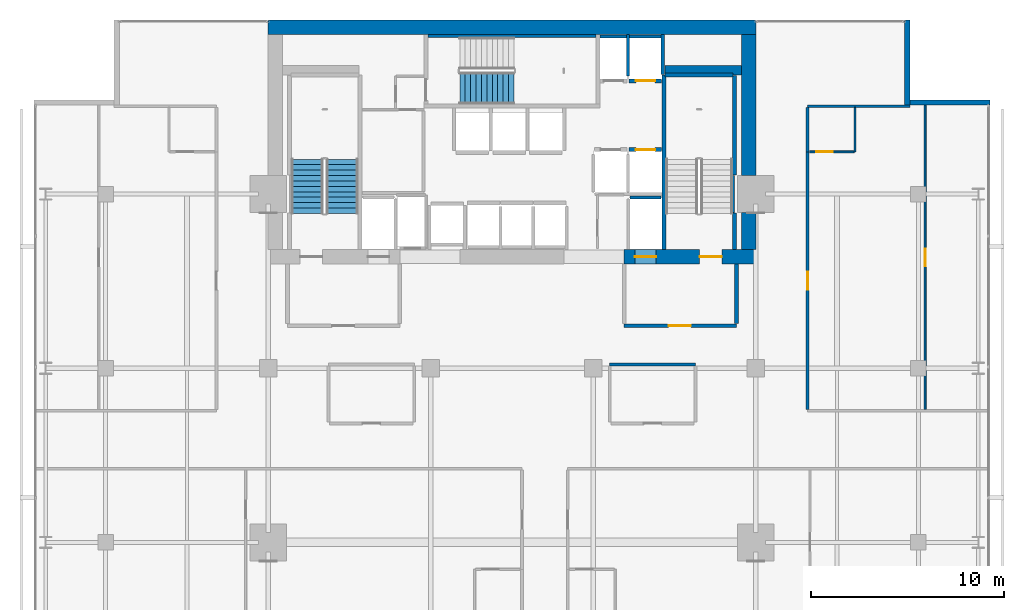
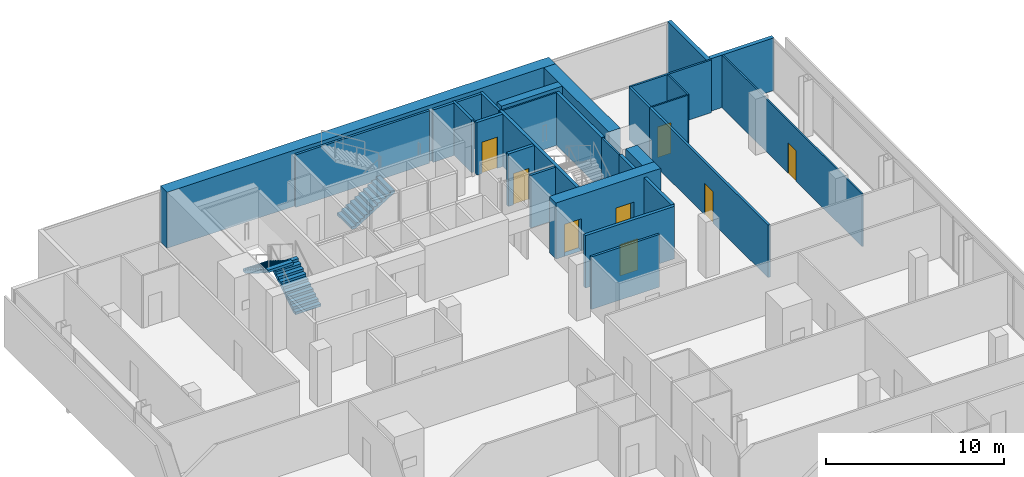
# One storey, part 30 of 33: 28 walls, 8 doors, 3 stair flights, 8 openings, 2 elements without a shape of their own.
"""IFC4 building model written with IfcOpenShell, lengths in metres."""

from ifc_helpers import new_model, si_unit, direction, frame, frame_2d, origin, place, context, subcontext, project, spatial, polyline, rectangle, outline, extrude, material, layer, layer_set, type_object, element, fill, aggregate, save


model = new_model("IFC4")

# Units and contexts
model_context = context("Model", 3, precision=1e-05, world=origin(), true_north=direction((0.0, 1.0)))
body_context = subcontext(model_context, "Body", "Model", "MODEL_VIEW")
ifc_project = project(units=[si_unit("LENGTHUNIT", "METRE"), si_unit("AREAUNIT", "SQUARE_METRE"), si_unit("VOLUMEUNIT", "CUBIC_METRE"), si_unit("PLANEANGLEUNIT", "RADIAN"), si_unit("MASSUNIT", "GRAM", prefix="KILO")], contexts=[model_context])

# Site, building, storey
site_placement = place(None, origin())
site = spatial("IfcSite", under=ifc_project, at=site_placement, CompositionType="ELEMENT")
building_placement = place(site_placement, origin())
building = spatial("IfcBuilding", under=site, at=building_placement, Name="Maruvema Waterfront Hotel and Observation Tower", CompositionType="ELEMENT")
storey_placement = place(building_placement, frame((0.0, 0.0, 200.550048828125)))
storey = spatial("IfcBuildingStorey", under=building, at=storey_placement, Name="L49", CompositionType="ELEMENT", Elevation=200.550048828125)

# Wall
ifc_material_1 = material(Name="Twin-stud acoustic gypsum drywall", Category="gypsum")
ifc_layer_1 = layer(ifc_material_1, 0.14990234375, Name="Acoustic Corridor and Suite Demising Wall 150 mm")
ifc_layer_set_1 = layer_set([ifc_layer_1], Name="Twin-stud acoustic gypsum drywall")
wall_type_1 = type_object("IfcWallType", Name="Acoustic Corridor and Suite Demising Wall 150 mm", PredefinedType="PARTITIONING", material=ifc_layer_set_1)
wall_1_placement = place(storey_placement, frame((42.85009765625, 36.199951171875, 0.0), z_axis=(0.0, 0.0, 1.0), x_axis=(1.0, 0.0, 0.0)))
element("IfcWall", 1, at=wall_1_placement, inside=storey, type_object=wall_type_1, Name="L49 L49-M2 Back Wall 021", PredefinedType="PARTITIONING", context=body_context, shape_type="SweptSolid", body=[
    extrude(rectangle(XDim=4.429931640625, YDim=0.14990234375, at=frame_2d((2.21484375, 0.0))), origin(), (0.0, 0.0, 1.0), 3.60986328125),
])

# Wall, opening, door
wall_2_placement = place(storey_placement, frame((53.080078125, 33.860107421875, 0.0), z_axis=(0.0, 0.0, 1.0), x_axis=(0.0, 1.0, 0.0)))
wall_2 = element("IfcWall", 2, at=wall_2_placement, inside=storey, type_object=wall_type_1, Name="L49 Room L49-NE1 Corridor Wall 091", PredefinedType="PARTITIONING", context=body_context, shape_type="SweptSolid", body=[
    extrude(rectangle(XDim=13.327392578125, YDim=0.14990234375, at=frame_2d((6.66357421875, 0.0))), origin(), (0.0, 0.0, 1.0), 3.60986328125),
])
opening_1_placement = place(wall_2_placement, frame((6.188720703125, 0.0, 0.0)))
opening_1 = element("IfcOpeningElement", 3, at=opening_1_placement, cuts=wall_2, Name="Opening DR-095", PredefinedType="OPENING", context=body_context, shape_type="SweptSolid", body=[
    extrude(rectangle(XDim=0.949951171875, YDim=2.14990234375, at=frame_2d((0.47509765625, 1.074951171875))), frame((0.0, 0.0849609375, 0.0), z_axis=(0.0, -1.0, 0.0), x_axis=(1.0, 0.0, 0.0)), (0.0, 0.0, 1.0), 0.169921875),
])
ifc_material_2 = material(Name="Acoustic solid-core hardwood timber leaf", Category="wood")
door_type_1 = type_object("IfcDoorType", Name="Guestroom Entrance Fire Door 950x2150 mm", OperationType="NOTDEFINED", PredefinedType="DOOR", material=ifc_material_2)
door_1_placement = place(opening_1_placement, frame((0.949951171875, 0.0, 0.0), z_axis=(0.0, 0.0, 1.0), x_axis=(-1.0, 0.0, 0.0)))
door_1 = element("IfcDoor", 4, at=door_1_placement, inside=storey, type_object=door_type_1, Name="L49 Room L49-NE1 Entrance Door", OperationType="SINGLE_SWING_RIGHT", OverallHeight=2.14990234375, OverallWidth=0.949951171875, PredefinedType="DOOR", context=body_context, shape_type="SweptSolid", body=[
    extrude(rectangle(XDim=0.949951171875, YDim=2.14990234375, at=frame_2d((0.47509765625, 1.074951171875))), frame((0.0, 0.02490234375, 0.0), z_axis=(0.0, -1.0, 0.0), x_axis=(1.0, 0.0, 0.0)), (0.0, 0.0, 1.0), 0.050048828125),
])
fill(opening_1, door_1)

# Walls
wall_3_placement = place(storey_placement, frame((53.080078125, 47.1875, 0.0), z_axis=(0.0, 0.0, 1.0), x_axis=(0.0, 1.0, 0.0)))
element("IfcWall", 5, at=wall_3_placement, inside=storey, type_object=wall_type_1, Name="L49 Bath L49-NE1 Wall 092", PredefinedType="PARTITIONING", context=body_context, shape_type="SweptSolid", body=[
    extrude(rectangle(XDim=2.2900390625, YDim=0.14990234375, at=frame_2d((1.14501953125, 0.0))), origin(), (0.0, 0.0, 1.0), 3.60986328125),
])
ifc_material_3 = material(Name="Precast concrete C45/55", Category="concrete")
ifc_layer_2 = layer(ifc_material_3, 0.14990234375, Name="Core Shaft Furring Wall 150 mm")
ifc_layer_set_2 = layer_set([ifc_layer_2], Name="Precast concrete C45/55")
wall_type_2 = type_object("IfcWallType", Name="Core Shaft Furring Wall 150 mm", PredefinedType="SOLIDWALL", material=ifc_layer_set_2)
wall_4_placement = place(storey_placement, frame((33.449951171875, 53.175048828125, 0.0), z_axis=(0.0, 0.0, 1.0), x_axis=(1.0, 0.0, 0.0)))
element("IfcWall", 6, at=wall_4_placement, inside=storey, type_object=wall_type_2, Name="L49 Stairwell ST-02 North Furring Wall", PredefinedType="SOLIDWALL", context=body_context, shape_type="SweptSolid", body=[
    extrude(rectangle(XDim=8.699951171875, YDim=0.14990234375, at=frame_2d((4.35009765625, 0.0))), origin(), (0.0, 0.0, 1.0), 3.60986328125),
])
ifc_material_4 = material(Name="Precast concrete C45/55", Category="concrete")
ifc_layer_3 = layer(ifc_material_4, 0.199951171875, Name="Core Shaft and Stairwell Enclosure Wall 200 mm")
ifc_layer_set_3 = layer_set([ifc_layer_3], Name="Precast concrete C45/55")
wall_type_3 = type_object("IfcWallType", Name="Core Shaft and Stairwell Enclosure Wall 200 mm", PredefinedType="SOLIDWALL", material=ifc_layer_set_3)
wall_5_placement = place(storey_placement, frame((45.64990234375, 42.14990234375, 0.0), z_axis=(0.0, 0.0, 1.0), x_axis=(0.0, 1.0, 0.0)))
element("IfcWall", 7, at=wall_5_placement, inside=storey, type_object=wall_type_3, Name="L49 Stairwell ST-03 West Shaft Wall", PredefinedType="SOLIDWALL", context=body_context, shape_type="SweptSolid", body=[
    extrude(rectangle(XDim=9.0, YDim=0.199951171875, at=frame_2d((4.5, 0.0))), origin(), (0.0, 0.0, 1.0), 3.60986328125),
])
wall_6_placement = place(storey_placement, frame((49.300048828125, 42.14990234375, 0.0), z_axis=(0.0, 0.0, 1.0), x_axis=(0.0, 1.0, 0.0)))
element("IfcWall", 8, at=wall_6_placement, inside=storey, type_object=wall_type_3, Name="L49 Stairwell ST-03 Shaft Lining Wall", PredefinedType="SOLIDWALL", context=body_context, shape_type="SweptSolid", body=[
    extrude(rectangle(XDim=1.8701171875, YDim=0.199951171875, at=frame_2d((0.93505859375, 0.0))), origin(), (0.0, 0.0, 1.0), 3.60986328125),
])
wall_7_placement = place(storey_placement, frame((49.300048828125, 45.97998046875, 0.0), z_axis=(0.0, 0.0, 1.0), x_axis=(0.0, 1.0, 0.0)))
element("IfcWall", 9, at=wall_7_placement, inside=storey, type_object=wall_type_3, Name="L49 Stairwell ST-03 Shaft Lining Wall", PredefinedType="SOLIDWALL", context=body_context, shape_type="SweptSolid", body=[
    extrude(rectangle(XDim=5.14013671875, YDim=0.199951171875, at=frame_2d((2.570068359375, 0.0))), origin(), (0.0, 0.0, 1.0), 3.60986328125),
])
wall_8_placement = place(storey_placement, frame((45.719970703125, 51.14990234375, 0.0), z_axis=(0.0, 0.0, 1.0), x_axis=(1.0, 0.0, 0.0)))
element("IfcWall", 10, at=wall_8_placement, inside=storey, type_object=wall_type_3, Name="L49 Stairwell ST-03 Shaft Lining Wall", PredefinedType="SOLIDWALL", context=body_context, shape_type="SweptSolid", body=[
    extrude(rectangle(XDim=3.5, YDim=0.199951171875, at=frame_2d((1.75, 0.0))), origin(), (0.0, 0.0, 1.0), 3.60986328125),
])

# Wall, opening, door
wall_9_placement = place(storey_placement, frame((43.860107421875, 47.300048828125, 0.0), z_axis=(0.0, 0.0, 1.0), x_axis=(1.0, 0.0, 0.0)))
wall_9 = element("IfcWall", 11, at=wall_9_placement, inside=storey, type_object=wall_type_3, Name="L49 Lift LF-06 Hoistway Front Wall", PredefinedType="SOLIDWALL", context=body_context, shape_type="SweptSolid", body=[
    extrude(rectangle(XDim=1.679931640625, YDim=0.199951171875, at=frame_2d((0.83984375, 0.0))), origin(), (0.0, 0.0, 1.0), 3.60986328125),
])
opening_2_placement = place(wall_9_placement, frame((0.340087890625, 0.0, 0.0)))
opening_2 = element("IfcOpeningElement", 12, at=opening_2_placement, cuts=wall_9, Name="Opening LD-01", PredefinedType="OPENING", context=body_context, shape_type="SweptSolid", body=[
    extrude(rectangle(XDim=1.0, YDim=2.14990234375, at=frame_2d((0.5, 1.074951171875))), frame((0.0, 0.10986328125, 0.0), z_axis=(0.0, -1.0, 0.0), x_axis=(1.0, 0.0, 0.0)), (0.0, 0.0, 1.0), 0.219970703125),
])
ifc_material_5 = material(Name="Brushed stainless steel Grade 316", Category="steel")
door_type_2 = type_object("IfcDoorType", Name="Passenger Lift Sliding Landing Door 1000x2150 mm", OperationType="SLIDING_TO_LEFT", PredefinedType="DOOR", material=ifc_material_5)
door_2_placement = place(opening_2_placement, origin())
door_2 = element("IfcDoor", 13, at=door_2_placement, inside=storey, type_object=door_type_2, Name="L49 Lift LF-06 Sliding Landing Door", OperationType="SLIDING_TO_LEFT", OverallHeight=2.14990234375, OverallWidth=1.0, PredefinedType="DOOR", context=body_context, shape_type="SweptSolid", body=[
    extrude(rectangle(XDim=1.0, YDim=2.14990234375, at=frame_2d((0.5, 1.074951171875))), frame((0.0, 0.02490234375, 0.0), z_axis=(0.0, -1.0, 0.0), x_axis=(1.0, 0.0, 0.0)), (0.0, 0.0, 1.0), 0.050048828125),
])
fill(opening_2, door_2)

wall_10_placement = place(storey_placement, frame((43.860107421875, 50.85009765625, 0.0), z_axis=(0.0, 0.0, 1.0), x_axis=(1.0, 0.0, 0.0)))
wall_10 = element("IfcWall", 14, at=wall_10_placement, inside=storey, type_object=wall_type_3, Name="L49 Lift LF-08 Hoistway Front Wall", PredefinedType="SOLIDWALL", context=body_context, shape_type="SweptSolid", body=[
    extrude(rectangle(XDim=1.679931640625, YDim=0.199951171875, at=frame_2d((0.83984375, 0.0))), origin(), (0.0, 0.0, 1.0), 3.60986328125),
])
opening_3_placement = place(wall_10_placement, frame((0.340087890625, 0.0, 0.0)))
opening_3 = element("IfcOpeningElement", 15, at=opening_3_placement, cuts=wall_10, Name="Opening LD-01", PredefinedType="OPENING", context=body_context, shape_type="SweptSolid", body=[
    extrude(rectangle(XDim=1.0, YDim=2.14990234375, at=frame_2d((0.5, 1.074951171875))), frame((0.0, 0.10986328125, 0.0), z_axis=(0.0, -1.0, 0.0), x_axis=(1.0, 0.0, 0.0)), (0.0, 0.0, 1.0), 0.219970703125),
])
door_3_placement = place(opening_3_placement, frame((1.0, 0.0, 0.0), z_axis=(0.0, 0.0, 1.0), x_axis=(-1.0, 0.0, 0.0)))
door_3 = element("IfcDoor", 16, at=door_3_placement, inside=storey, type_object=door_type_2, Name="L49 Lift LF-08 Sliding Landing Door", OperationType="SLIDING_TO_LEFT", OverallHeight=2.14990234375, OverallWidth=1.0, PredefinedType="DOOR", context=body_context, shape_type="SweptSolid", body=[
    extrude(rectangle(XDim=1.0, YDim=2.14990234375, at=frame_2d((0.5, 1.074951171875))), frame((0.0, 0.02490234375, 0.0), z_axis=(0.0, -1.0, 0.0), x_axis=(1.0, 0.0, 0.0)), (0.0, 0.0, 1.0), 0.050048828125),
])
fill(opening_3, door_3)

# Walls
ifc_material_6 = material(Name="Concrete C70/85", Category="concrete")
ifc_layer_4 = layer(ifc_material_6, 0.5, Name="Core Shear Wall 500 mm")
ifc_layer_set_4 = layer_set([ifc_layer_4], Name="Concrete C70/85")
wall_type_4 = type_object("IfcWallType", Name="Core Shear Wall 500 mm", PredefinedType="SHEAR", material=ifc_layer_set_4)
wall_11_placement = place(storey_placement, frame((45.699951171875, 51.39990234375, 0.0), z_axis=(0.0, 0.0, 1.0), x_axis=(1.0, 0.0, 0.0)))
element("IfcWall", 17, at=wall_11_placement, inside=storey, type_object=wall_type_4, Name="L49 Internal Core Shear Wall NE 500 mm", PredefinedType="SHEAR", context=body_context, shape_type="SweptSolid", body=[
    extrude(rectangle(XDim=3.949951171875, YDim=0.5, at=frame_2d((1.97509765625, 0.0))), origin(), (0.0, 0.0, 1.0), 3.849853515625),
])
ifc_material_7 = material(Name="Concrete C70/85", Category="concrete")
ifc_layer_5 = layer(ifc_material_7, 0.75, Name="Core Shear Wall 750 mm")
ifc_layer_set_5 = layer_set([ifc_layer_5], Name="Concrete C70/85")
wall_type_5 = type_object("IfcWallType", Name="Core Shear Wall 750 mm", PredefinedType="SHEAR", material=ifc_layer_set_5)
wall_12_placement = place(storey_placement, frame((25.199951171875, 53.625, 0.0), z_axis=(0.0, 0.0, 1.0), x_axis=(1.0, 0.0, 0.0)))
element("IfcWall", 18, at=wall_12_placement, inside=storey, type_object=wall_type_5, Name="L49 North Core Shear Wall", PredefinedType="SHEAR", context=body_context, shape_type="SweptSolid", body=[
    extrude(rectangle(XDim=25.199951171875, YDim=0.75, at=frame_2d((12.60009765625, 0.0))), origin(), (0.0, 0.0, 1.0), 3.849853515625),
])

# Wall, openings, doors
wall_13_placement = place(storey_placement, frame((43.60009765625, 41.77490234375, 0.0), z_axis=(0.0, 0.0, 1.0), x_axis=(1.0, 0.0, 0.0)))
wall_13 = element("IfcWall", 19, at=wall_13_placement, inside=storey, type_object=wall_type_5, Name="L49 South-East Core Shear Wall", PredefinedType="SHEAR", context=body_context, shape_type="SweptSolid", body=[
    extrude(rectangle(XDim=6.7998046875, YDim=0.75, at=frame_2d((3.39990234375, 0.0))), origin(), (0.0, 0.0, 1.0), 3.849853515625),
])
opening_4_placement = place(wall_13_placement, frame((3.89990234375, 0.0, 0.0)))
opening_4 = element("IfcOpeningElement", 20, at=opening_4_placement, cuts=wall_13, Name="Opening SD-01", PredefinedType="OPENING", context=body_context, shape_type="SweptSolid", body=[
    extrude(rectangle(XDim=1.14990234375, YDim=2.14990234375, at=frame_2d((0.574951171875, 1.074951171875))), frame((0.0, 0.385009765625, 0.0), z_axis=(0.0, -1.0, 0.0), x_axis=(1.0, 0.0, 0.0)), (0.0, 0.0, 1.0), 0.77001953125),
])
opening_5_placement = place(wall_13_placement, frame((0.550048828125, 0.0, 0.0)))
opening_5 = element("IfcOpeningElement", 21, at=opening_5_placement, cuts=wall_13, Name="Opening LD-03", PredefinedType="OPENING", context=body_context, shape_type="SweptSolid", body=[
    extrude(rectangle(XDim=1.10009765625, YDim=2.199951171875, at=frame_2d((0.550048828125, 1.10009765625))), frame((0.0, 0.385009765625, 0.0), z_axis=(0.0, -1.0, 0.0), x_axis=(1.0, 0.0, 0.0)), (0.0, 0.0, 1.0), 0.77001953125),
])
ifc_material_8 = material(Name="Fire-rated galvanised steel leaf", Category="steel")
door_type_3 = type_object("IfcDoorType", Name="Exit Stair Fire Door 1150x2150 mm", OperationType="NOTDEFINED", PredefinedType="DOOR", material=ifc_material_8)
door_4_placement = place(opening_4_placement, origin())
door_4 = element("IfcDoor", 22, at=door_4_placement, inside=storey, type_object=door_type_3, Name="L49 Exit Stair ST-03 Fire Door", OperationType="SINGLE_SWING_RIGHT", OverallHeight=2.14990234375, OverallWidth=1.14990234375, PredefinedType="DOOR", context=body_context, shape_type="SweptSolid", body=[
    extrude(rectangle(XDim=1.14990234375, YDim=2.14990234375, at=frame_2d((0.574951171875, 1.074951171875))), frame((0.0, 0.02490234375, 0.0), z_axis=(0.0, -1.0, 0.0), x_axis=(1.0, 0.0, 0.0)), (0.0, 0.0, 1.0), 0.050048828125),
])
fill(opening_4, door_4)
ifc_material_9 = material(Name="Brushed stainless steel Grade 316", Category="steel")
door_type_4 = type_object("IfcDoorType", Name="Firefighting Lift Sliding Landing Door 1100x2200 mm", OperationType="SLIDING_TO_LEFT", PredefinedType="DOOR", material=ifc_material_9)
door_5_placement = place(opening_5_placement, frame((1.10009765625, 0.0, 0.0), z_axis=(0.0, 0.0, 1.0), x_axis=(-1.0, 0.0, 0.0)))
door_5 = element("IfcDoor", 23, at=door_5_placement, inside=storey, type_object=door_type_4, Name="L49 Firefighting Lift FL-02 Landing Door", OperationType="SLIDING_TO_LEFT", OverallHeight=2.199951171875, OverallWidth=1.10009765625, PredefinedType="DOOR", context=body_context, shape_type="SweptSolid", body=[
    extrude(rectangle(XDim=1.10009765625, YDim=2.199951171875, at=frame_2d((0.550048828125, 1.10009765625))), frame((0.0, 0.02490234375, 0.0), z_axis=(0.0, -1.0, 0.0), x_axis=(1.0, 0.0, 0.0)), (0.0, 0.0, 1.0), 0.050048828125),
])
fill(opening_5, door_5)

# Walls
wall_14_placement = place(storey_placement, frame((50.02490234375, 42.14990234375, 0.0), z_axis=(0.0, 0.0, 1.0), x_axis=(0.0, 1.0, 0.0)))
element("IfcWall", 24, at=wall_14_placement, inside=storey, type_object=wall_type_5, Name="L49 East-South Core Shear Wall", PredefinedType="SHEAR", context=body_context, shape_type="SweptSolid", body=[
    extrude(rectangle(XDim=1.900146484375, YDim=0.75, at=frame_2d((0.9501953125, 0.0))), origin(), (0.0, 0.0, 1.0), 3.849853515625),
])
wall_15_placement = place(storey_placement, frame((50.02490234375, 45.949951171875, 0.0), z_axis=(0.0, 0.0, 1.0), x_axis=(0.0, 1.0, 0.0)))
element("IfcWall", 25, at=wall_15_placement, inside=storey, type_object=wall_type_5, Name="L49 East-North Core Shear Wall", PredefinedType="SHEAR", context=body_context, shape_type="SweptSolid", body=[
    extrude(rectangle(XDim=7.300048828125, YDim=0.75, at=frame_2d((3.64990234375, 0.0))), origin(), (0.0, 0.0, 1.0), 3.849853515625),
])
ifc_material_10 = material(Name="Moisture-resistant cement-board drywall", Category="gypsum")
ifc_layer_6 = layer(ifc_material_10, 0.10009765625, Name="En-Suite Moisture-Resistant Partition 100 mm")
ifc_layer_set_6 = layer_set([ifc_layer_6], Name="Moisture-resistant cement-board drywall")
wall_type_6 = type_object("IfcWallType", Name="En-Suite Moisture-Resistant Partition 100 mm", PredefinedType="PARTITIONING", material=ifc_layer_set_6)
wall_16_placement = place(storey_placement, frame((55.530029296875, 47.1875, 0.0), z_axis=(0.0, 0.0, 1.0), x_axis=(0.0, 1.0, 0.0)))
element("IfcWall", 26, at=wall_16_placement, inside=storey, type_object=wall_type_6, Name="L49 En-Suite L49-NE1 E 093", PredefinedType="PARTITIONING", context=body_context, shape_type="SweptSolid", body=[
    extrude(rectangle(XDim=2.2900390625, YDim=0.10009765625, at=frame_2d((1.14501953125, 0.0))), origin(), (0.0, 0.0, 1.0), 3.60986328125),
])

# Wall, opening, door
wall_17_placement = place(storey_placement, frame((53.179931640625, 47.1875, 0.0), z_axis=(0.0, 0.0, 1.0), x_axis=(1.0, 0.0, 0.0)))
wall_17 = element("IfcWall", 27, at=wall_17_placement, inside=storey, type_object=wall_type_6, Name="L49 En-Suite L49-NE1 S 094", PredefinedType="PARTITIONING", context=body_context, shape_type="SweptSolid", body=[
    extrude(rectangle(XDim=2.300048828125, YDim=0.10009765625, at=frame_2d((1.14990234375, 0.0))), origin(), (0.0, 0.0, 1.0), 3.60986328125),
])
opening_6_placement = place(wall_17_placement, frame((0.35009765625, 0.0, 0.0)))
opening_6 = element("IfcOpeningElement", 28, at=opening_6_placement, cuts=wall_17, Name="Opening DR-085", PredefinedType="OPENING", context=body_context, shape_type="SweptSolid", body=[
    extrude(rectangle(XDim=0.85009765625, YDim=2.10009765625, at=frame_2d((0.425048828125, 1.050048828125))), frame((0.0, 0.06005859375, 0.0), z_axis=(0.0, -1.0, 0.0), x_axis=(1.0, 0.0, 0.0)), (0.0, 0.0, 1.0), 0.1201171875),
])
ifc_material_11 = material(Name="Moisture-resistant solid timber leaf", Category="wood")
door_type_5 = type_object("IfcDoorType", Name="En-Suite Bathroom Door 850x2100 mm", OperationType="NOTDEFINED", PredefinedType="DOOR", material=ifc_material_11)
door_6_placement = place(opening_6_placement, frame((0.85009765625, 0.0, 0.0), z_axis=(0.0, 0.0, 1.0), x_axis=(-1.0, 0.0, 0.0)))
door_6 = element("IfcDoor", 29, at=door_6_placement, inside=storey, type_object=door_type_5, Name="L49 En-Suite L49-NE1 Door", OperationType="SINGLE_SWING_LEFT", OverallHeight=2.10009765625, OverallWidth=0.85009765625, PredefinedType="DOOR", context=body_context, shape_type="SweptSolid", body=[
    extrude(rectangle(XDim=0.85009765625, YDim=2.10009765625, at=frame_2d((0.425048828125, 1.050048828125))), frame((0.0, 0.02490234375, 0.0), z_axis=(0.0, -1.0, 0.0), x_axis=(1.0, 0.0, 0.0)), (0.0, 0.0, 1.0), 0.050048828125),
])
fill(opening_6, door_6)

wall_18_placement = place(storey_placement, frame((59.154296875, 33.860107421875, 0.0), z_axis=(0.0, 0.0, 1.0), x_axis=(0.0, 1.0, 0.0)))
wall_18 = element("IfcWall", 30, at=wall_18_placement, inside=storey, type_object=wall_type_6, Name="L49 Suite L49-NE1 Split 095", PredefinedType="PARTITIONING", context=body_context, shape_type="SweptSolid", body=[
    extrude(rectangle(XDim=15.7373046875, YDim=0.10009765625, at=frame_2d((7.86865234375, 0.0))), origin(), (0.0, 0.0, 1.0), 3.60986328125),
])
opening_7_placement = place(wall_18_placement, frame((7.418701171875, 0.0, 0.0)))
opening_7 = element("IfcOpeningElement", 31, at=opening_7_placement, cuts=wall_18, Name="Opening DR-090", PredefinedType="OPENING", context=body_context, shape_type="SweptSolid", body=[
    extrude(rectangle(XDim=0.89990234375, YDim=2.10009765625, at=frame_2d((0.449951171875, 1.050048828125))), frame((0.0, 0.06005859375, 0.0), z_axis=(0.0, -1.0, 0.0), x_axis=(1.0, 0.0, 0.0)), (0.0, 0.0, 1.0), 0.1201171875),
])
ifc_material_12 = material(Name="Solid-core lacquered timber leaf", Category="wood")
door_type_6 = type_object("IfcDoorType", Name="Accessible Toilet and Room Door 900x2100 mm", OperationType="NOTDEFINED", PredefinedType="DOOR", material=ifc_material_12)
door_7_placement = place(opening_7_placement, frame((0.89990234375, 0.0, 0.0), z_axis=(0.0, 0.0, 1.0), x_axis=(-1.0, 0.0, 0.0)))
door_7 = element("IfcDoor", 32, at=door_7_placement, inside=storey, type_object=door_type_6, Name="L49 Suite L49-NE1 Bedroom Door", OperationType="SINGLE_SWING_LEFT", OverallHeight=2.10009765625, OverallWidth=0.89990234375, PredefinedType="DOOR", context=body_context, shape_type="SweptSolid", body=[
    extrude(rectangle(XDim=0.89990234375, YDim=2.10009765625, at=frame_2d((0.449951171875, 1.050048828125))), frame((0.0, 0.02490234375, 0.0), z_axis=(0.0, -1.0, 0.0), x_axis=(1.0, 0.0, 0.0)), (0.0, 0.0, 1.0), 0.050048828125),
])
fill(opening_7, door_7)

# Walls
ifc_material_13 = material(Name="Precast concrete C45/55 with honed Pernambuco granite facing", Category="masonry")
ifc_layer_7 = layer(ifc_material_13, 0.260009765625, Name="Exterior Granite Clad Spandrel and Pier Wall 260 mm")
ifc_layer_set_7 = layer_set([ifc_layer_7], Name="Precast concrete C45/55 with honed Pernambuco granite facing")
wall_type_7 = type_object("IfcWallType", Name="Exterior Granite Clad Spandrel and Pier Wall 260 mm", PredefinedType="SOLIDWALL", material=ifc_layer_set_7)
for number, where, z_axis, x_axis, name in (
    (33, (58.22998046875, 54.0, 0.0), (0.0, 0.0, 1.0), (0.0, -1.0, 0.0), "L49 Corner Notch Granite Pier Wall NE1"),
    (34, (58.10009765625, 49.72998046875, 0.0), (0.0, 0.0, 1.0), (1.0, 0.0, 0.0), "L49 Corner Notch Granite Pier Wall NE2"),
):
    element("IfcWall", number, at=place(storey_placement, frame(where, z_axis=z_axis, x_axis=x_axis)), inside=storey, type_object=wall_type_7, Name=name, PredefinedType="SOLIDWALL", context=body_context, shape_type="SweptSolid", body=[
        extrude(rectangle(XDim=4.39990234375, YDim=0.260009765625, at=frame_2d((2.199951171875, 0.0))), origin(), (0.0, 0.0, 1.0), 3.60986328125),
    ])

# Wall, opening, door
ifc_material_14 = material(Name="Autoclaved cellular concrete blockwork", Category="masonry")
ifc_layer_8 = layer(ifc_material_14, 0.199951171875, Name="Fire Compartment Masonry Wall 200 mm")
ifc_layer_set_8 = layer_set([ifc_layer_8], Name="Autoclaved cellular concrete blockwork")
wall_type_8 = type_object("IfcWallType", Name="Fire Compartment Masonry Wall 200 mm", PredefinedType="PARTITIONING", material=ifc_layer_set_8)
wall_19_placement = place(storey_placement, frame((43.60009765625, 38.199951171875, 0.0), z_axis=(0.0, 0.0, 1.0), x_axis=(1.0, 0.0, 0.0)))
wall_19 = element("IfcWall", 35, at=wall_19_placement, inside=storey, type_object=wall_type_8, Name="L49 FFL East South Wall 004", PredefinedType="PARTITIONING", context=body_context, shape_type="SweptSolid", body=[
    extrude(rectangle(XDim=5.7998046875, YDim=0.199951171875, at=frame_2d((2.89990234375, 0.0))), origin(), (0.0, 0.0, 1.0), 3.60986328125),
])
opening_8_placement = place(wall_19_placement, frame((2.300048828125, 0.0, 0.0)))
opening_8 = element("IfcOpeningElement", 36, at=opening_8_placement, cuts=wall_19, Name="Opening FD-115", PredefinedType="OPENING", context=body_context, shape_type="SweptSolid", body=[
    extrude(rectangle(XDim=1.14990234375, YDim=2.14990234375, at=frame_2d((0.574951171875, 1.074951171875))), frame((0.0, 0.10986328125, 0.0), z_axis=(0.0, -1.0, 0.0), x_axis=(1.0, 0.0, 0.0)), (0.0, 0.0, 1.0), 0.219970703125),
])
ifc_material_15 = material(Name="Fire-rated galvanised steel and vision glass", Category="steel")
door_type_7 = type_object("IfcDoorType", Name="Firefighting Lobby Fire Door 1150x2150 mm", OperationType="NOTDEFINED", PredefinedType="DOOR", material=ifc_material_15)
door_8_placement = place(opening_8_placement, frame((1.14990234375, 0.0, 0.0), z_axis=(0.0, 0.0, 1.0), x_axis=(-1.0, 0.0, 0.0)))
door_8 = element("IfcDoor", 37, at=door_8_placement, inside=storey, type_object=door_type_7, Name="L49 Firefighting Lobby East Door", OperationType="SINGLE_SWING_LEFT", OverallHeight=2.14990234375, OverallWidth=1.14990234375, PredefinedType="DOOR", context=body_context, shape_type="SweptSolid", body=[
    extrude(rectangle(XDim=1.14990234375, YDim=2.14990234375, at=frame_2d((0.574951171875, 1.074951171875))), frame((0.0, 0.02490234375, 0.0), z_axis=(0.0, -1.0, 0.0), x_axis=(1.0, 0.0, 0.0)), (0.0, 0.0, 1.0), 0.050048828125),
])
fill(opening_8, door_8)

# Walls
wall_20_placement = place(storey_placement, frame((49.39990234375, 38.31005859375, 0.0), z_axis=(0.0, 0.0, 1.0), x_axis=(0.0, 1.0, 0.0)))
element("IfcWall", 38, at=wall_20_placement, inside=storey, type_object=wall_type_8, Name="L49 FFL East East Wall 006", PredefinedType="PARTITIONING", context=body_context, shape_type="SweptSolid", body=[
    extrude(rectangle(XDim=3.06982421875, YDim=0.199951171875, at=frame_2d((1.534912109375, 0.0))), origin(), (0.0, 0.0, 1.0), 3.60986328125),
])
ifc_material_16 = material(Name="Acoustic gypsum plasterboard drywall", Category="gypsum")
ifc_layer_9 = layer(ifc_material_16, 0.125, Name="Guestroom Acoustic Demising Wall 125 mm")
ifc_layer_set_9 = layer_set([ifc_layer_9], Name="Acoustic gypsum plasterboard drywall")
wall_type_9 = type_object("IfcWallType", Name="Guestroom Acoustic Demising Wall 125 mm", PredefinedType="PARTITIONING", material=ifc_layer_set_9)
wall_21_placement = place(storey_placement, frame((53.080078125, 49.53759765625, 0.0), z_axis=(0.0, 0.0, 1.0), x_axis=(1.0, 0.0, 0.0)))
element("IfcWall", 39, at=wall_21_placement, inside=storey, type_object=wall_type_9, Name="L49 Z2 NE Top End 085", PredefinedType="PARTITIONING", context=body_context, shape_type="SweptSolid", body=[
    extrude(rectangle(XDim=5.280029296875, YDim=0.125, at=frame_2d((2.64013671875, 0.0))), origin(), (0.0, 0.0, 1.0), 3.60986328125),
])
ifc_material_17 = material(Name="Precast concrete C45/55", Category="concrete")
ifc_layer_10 = layer(ifc_material_17, 0.159912109375, Name="Lift Hoistway Divider Wall 160 mm")
ifc_layer_set_10 = layer_set([ifc_layer_10], Name="Precast concrete C45/55")
wall_type_10 = type_object("IfcWallType", Name="Lift Hoistway Divider Wall 160 mm", PredefinedType="SOLIDWALL", material=ifc_layer_set_10)
wall_22_placement = place(storey_placement, frame((43.89990234375, 44.830078125, 0.0), z_axis=(0.0, 0.0, 1.0), x_axis=(1.0, 0.0, 0.0)))
element("IfcWall", 40, at=wall_22_placement, inside=storey, type_object=wall_type_10, Name="L49 Lift FL-02 Rear Hoistway Wall", PredefinedType="SOLIDWALL", context=body_context, shape_type="SweptSolid", body=[
    extrude(rectangle(XDim=1.60009765625, YDim=0.159912109375, at=frame_2d((0.800048828125, 0.0))), origin(), (0.0, 0.0, 1.0), 3.60986328125),
])
wall_23_placement = place(storey_placement, frame((45.590087890625, 51.179931640625, 0.0), z_axis=(0.0, 0.0, 1.0), x_axis=(0.0, 1.0, 0.0)))
element("IfcWall", 41, at=wall_23_placement, inside=storey, type_object=wall_type_10, Name="L49 Hoistway Divider Wall", PredefinedType="SOLIDWALL", context=body_context, shape_type="SweptSolid", body=[
    extrude(rectangle(XDim=2.070068359375, YDim=0.159912109375, at=frame_2d((1.03515625, 0.0))), origin(), (0.0, 0.0, 1.0), 3.60986328125),
])
wall_24_placement = place(storey_placement, frame((43.800048828125, 51.10009765625, 0.0), z_axis=(0.0, 0.0, 1.0), x_axis=(0.0, 1.0, 0.0)))
element("IfcWall", 42, at=wall_24_placement, inside=storey, type_object=wall_type_10, Name="L49 Hoistway Divider Wall", PredefinedType="SOLIDWALL", context=body_context, shape_type="SweptSolid", body=[
    extrude(rectangle(XDim=2.14990234375, YDim=0.159912109375, at=frame_2d((1.074951171875, 0.0))), origin(), (0.0, 0.0, 1.0), 3.60986328125),
])
wall_25_placement = place(storey_placement, frame((42.360107421875, 53.139892578125, 0.0), z_axis=(0.0, 0.0, 1.0), x_axis=(1.0, 0.0, 0.0)))
element("IfcWall", 43, at=wall_25_placement, inside=storey, type_object=wall_type_10, Name="L49 Hoistway Divider Wall", PredefinedType="SOLIDWALL", context=body_context, shape_type="SweptSolid", body=[
    extrude(rectangle(XDim=3.139892578125, YDim=0.159912109375, at=frame_2d((1.56982421875, 0.0))), origin(), (0.0, 0.0, 1.0), 3.60986328125),
])
ifc_material_18 = material(Name="Precast concrete C45/55", Category="concrete")
ifc_layer_11 = layer(ifc_material_18, 0.10009765625, Name="Stairwell Stringer Cheek Wall 100 mm")
ifc_layer_set_11 = layer_set([ifc_layer_11], Name="Precast concrete C45/55")
wall_type_11 = type_object("IfcWallType", Name="Stairwell Stringer Cheek Wall 100 mm", PredefinedType="SOLIDWALL", material=ifc_layer_set_11)
wall_26_placement = place(storey_placement, frame((49.248046875, 44.0400390625, 0.0), z_axis=(0.0, 0.0, 1.0), x_axis=(0.0, 1.0, 0.0)))
element("IfcWall", 44, at=wall_26_placement, inside=storey, type_object=wall_type_11, Name="L49 Stairwell ST-03 Mega-Column Cheek Wall", PredefinedType="SOLIDWALL", context=body_context, shape_type="SweptSolid", body=[
    extrude(rectangle(XDim=1.919921875, YDim=0.10009765625, at=frame_2d((0.9599609375, 0.0))), origin(), (0.0, 0.0, 1.0), 3.60986328125),
])

# Stair, stair flights
ifc_material_19 = material(Name="Concrete C50/60", Category="concrete")
stair_type = type_object("IfcStairType", Name="Dogleg Exit Stair 1650 mm (22R x 175.0 mm)", PredefinedType="HALF_TURN_STAIR", material=ifc_material_19)
stair_1_placement = place(storey_placement, origin())
stair_1 = element("IfcStair", 45, at=stair_1_placement, inside=storey, type_object=stair_type, Name="L49 ST-01", PredefinedType="HALF_TURN_STAIR")
ifc_material_20 = material(Name="Concrete C50/60", Category="concrete")
stair_flight_type = type_object("IfcStairFlightType", Name="Reinforced Concrete Stair Flight 1650 mm (11R x 175.0 mm)", PredefinedType="STRAIGHT", material=ifc_material_20)
stair_flight_1_placement = place(storey_placement, frame((29.02490234375, 44.0, 0.0), z_axis=(0.0, 0.0, 1.0), x_axis=(0.0, 1.0, 0.0)))
stair_flight_1 = element("IfcStairFlight", 46, at=stair_flight_1_placement, type_object=stair_flight_type, Name="ST-01 flight 1", NumberOfRisers=11, NumberOfTreads=10, PredefinedType="STRAIGHT", RiserHeight=0.175, TreadLength=0.28, context=body_context, shape_type="SweptSolid", body=[
    extrude(outline(polyline([(0.0, 0.0), (0.0, 0.175048828125), (0.280029296875, 0.175048828125), (0.280029296875, 0.35009765625), (0.56005859375, 0.35009765625), (0.56005859375, 0.52490234375), (0.840087890625, 0.52490234375), (0.840087890625, 0.699951171875), (1.1201171875, 0.699951171875), (1.1201171875, 0.875), (1.39990234375, 0.875), (1.39990234375, 1.050048828125), (1.679931640625, 1.050048828125), (1.679931640625, 1.22509765625), (1.9599609375, 1.22509765625), (1.9599609375, 1.39990234375), (2.239990234375, 1.39990234375), (2.239990234375, 1.574951171875), (2.52001953125, 1.574951171875), (2.52001953125, 1.75), (2.800048828125, 1.75), (2.800048828125, 1.925048828125), (2.800048828125, 1.5732421875), (0.28271484375, 0.0), (0.0, 0.0)])), frame((0.0, 0.824951171875, 0.0), z_axis=(0.0, -1.0, 0.0), x_axis=(1.0, 0.0, 0.0)), (0.0, 0.0, 1.0), 1.64990234375),
])
stair_flight_2_placement = place(storey_placement, frame((27.22509765625, 46.800048828125, 1.925048828125), z_axis=(0.0, 0.0, 1.0), x_axis=(0.0, -1.0, 0.0)))
stair_flight_2 = element("IfcStairFlight", 47, at=stair_flight_2_placement, type_object=stair_flight_type, Name="ST-01 flight 2", NumberOfRisers=11, NumberOfTreads=10, PredefinedType="STRAIGHT", RiserHeight=0.175, TreadLength=0.28, context=body_context, shape_type="SweptSolid", body=[
    extrude(outline(polyline([(0.0, 0.0), (0.0, 0.175048828125), (0.280029296875, 0.175048828125), (0.280029296875, 0.35009765625), (0.56005859375, 0.35009765625), (0.56005859375, 0.52490234375), (0.840087890625, 0.52490234375), (0.840087890625, 0.699951171875), (1.1201171875, 0.699951171875), (1.1201171875, 0.875), (1.39990234375, 0.875), (1.39990234375, 1.050048828125), (1.679931640625, 1.050048828125), (1.679931640625, 1.22509765625), (1.9599609375, 1.22509765625), (1.9599609375, 1.39990234375), (2.239990234375, 1.39990234375), (2.239990234375, 1.574951171875), (2.52001953125, 1.574951171875), (2.52001953125, 1.75), (2.800048828125, 1.75), (2.800048828125, 1.925048828125), (2.800048828125, 1.5732421875), (0.28271484375, 0.0), (0.0, 0.0)])), frame((0.0, 0.824951171875, 0.0), z_axis=(0.0, -1.0, 0.0), x_axis=(1.0, 0.0, 0.0)), (0.0, 0.0, 1.0), 1.64990234375),
])
aggregate(stair_1, [stair_flight_1, stair_flight_2])

# Stair, stair flight
stair_2_placement = place(storey_placement, origin())
stair_2 = element("IfcStair", 48, at=stair_2_placement, inside=storey, type_object=stair_type, Name="L49 ST-02", PredefinedType="HALF_TURN_STAIR")
stair_flight_3_placement = place(storey_placement, frame((35.10009765625, 50.47509765625, 0.0), z_axis=(0.0, 0.0, 1.0), x_axis=(1.0, 0.0, 0.0)))
stair_flight_3 = element("IfcStairFlight", 49, at=stair_flight_3_placement, type_object=stair_flight_type, Name="ST-02 flight 1", NumberOfRisers=11, NumberOfTreads=10, PredefinedType="STRAIGHT", RiserHeight=0.175, TreadLength=0.28, context=body_context, shape_type="SweptSolid", body=[
    extrude(outline(polyline([(0.0, 0.0), (0.0, 0.175048828125), (0.280029296875, 0.175048828125), (0.280029296875, 0.35009765625), (0.56005859375, 0.35009765625), (0.56005859375, 0.52490234375), (0.840087890625, 0.52490234375), (0.840087890625, 0.699951171875), (1.1201171875, 0.699951171875), (1.1201171875, 0.875), (1.39990234375, 0.875), (1.39990234375, 1.050048828125), (1.679931640625, 1.050048828125), (1.679931640625, 1.22509765625), (1.9599609375, 1.22509765625), (1.9599609375, 1.39990234375), (2.239990234375, 1.39990234375), (2.239990234375, 1.574951171875), (2.52001953125, 1.574951171875), (2.52001953125, 1.75), (2.800048828125, 1.75), (2.800048828125, 1.925048828125), (2.800048828125, 1.5732421875), (0.28271484375, 0.0), (0.0, 0.0)])), frame((0.0, 0.824951171875, 0.0), z_axis=(0.0, -1.0, 0.0), x_axis=(1.0, 0.0, 0.0)), (0.0, 0.0, 1.0), 1.64990234375),
])
aggregate(stair_2, [stair_flight_3])

save(model, "model.ifc")
